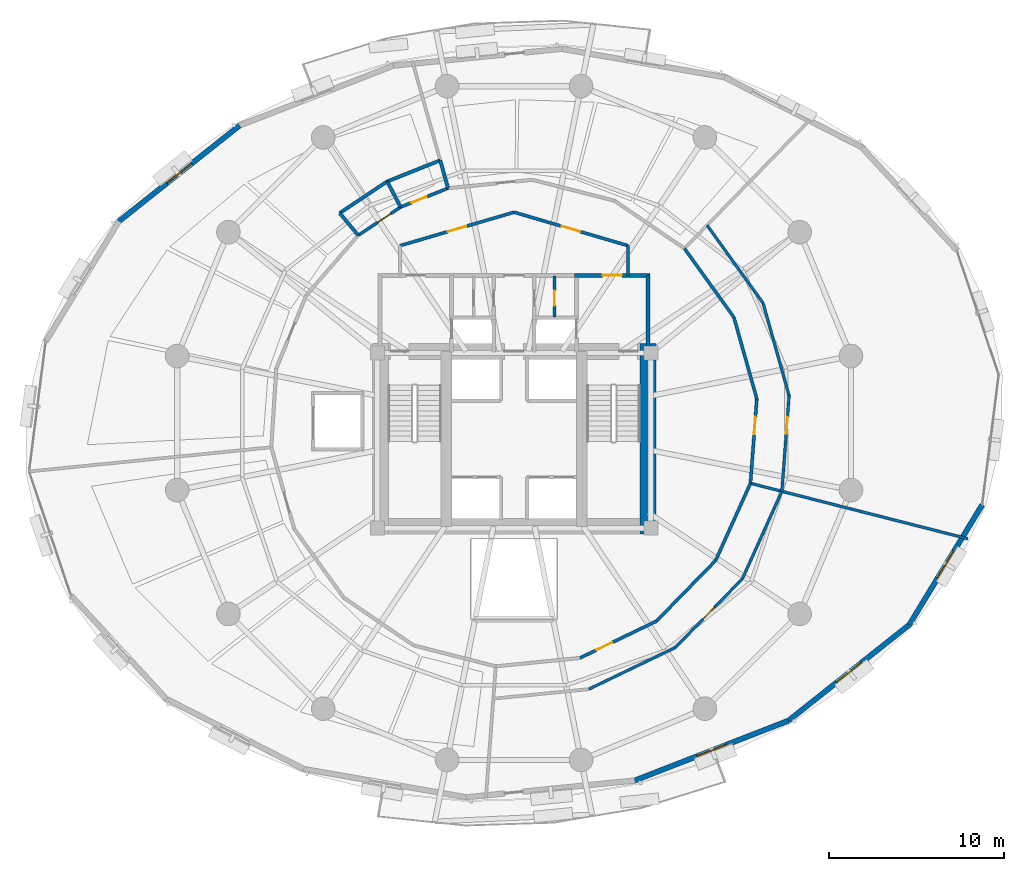
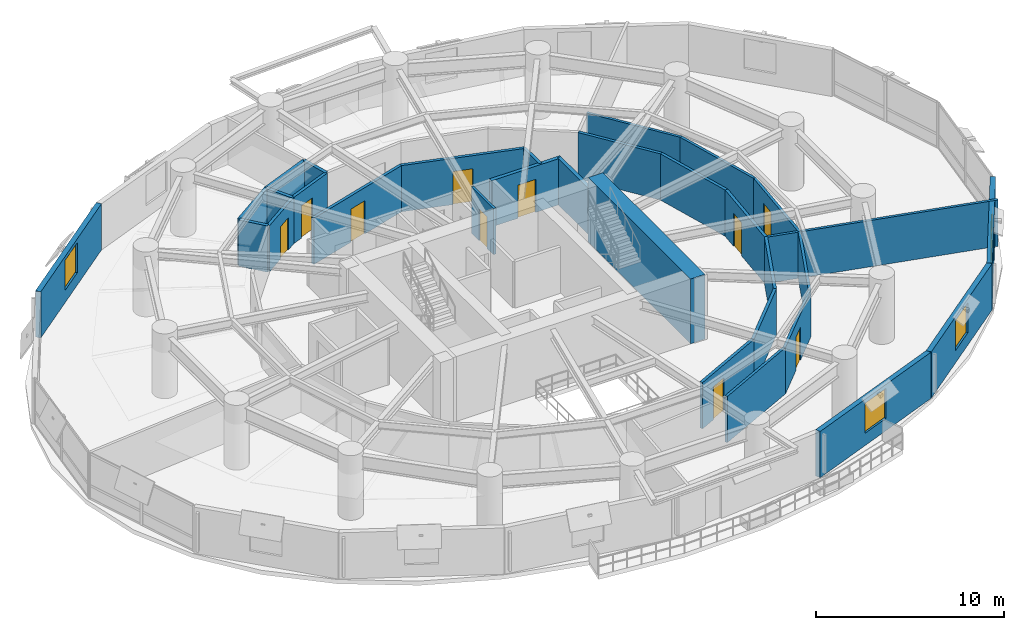
# One storey, part 13 of 17: 31 walls, 10 doors, 4 windows, 14 openings.
"""IFC4 building model written with IfcOpenShell, lengths in metres."""

from ifc_helpers import new_model, si_unit, direction, frame, frame_2d, origin, place, context, subcontext, project, spatial, rectangle, extrude, material, layer, layer_set, type_object, element, fill, save


model = new_model("IFC4")

# Units and contexts
model_context = context("Model", 3, precision=1e-05, world=origin(), true_north=direction((0.0, 1.0)))
body_context = subcontext(model_context, "Body", "Model", "MODEL_VIEW")
ifc_project = project(units=[si_unit("LENGTHUNIT", "METRE"), si_unit("AREAUNIT", "SQUARE_METRE"), si_unit("VOLUMEUNIT", "CUBIC_METRE"), si_unit("PLANEANGLEUNIT", "RADIAN"), si_unit("MASSUNIT", "GRAM", prefix="KILO"), si_unit("THERMODYNAMICTEMPERATUREUNIT", "KELVIN"), si_unit("POWERUNIT", "WATT")], contexts=[model_context])

# Site, building, storey
site_placement = place(None, origin())
site = spatial("IfcSite", under=ifc_project, at=site_placement, CompositionType="ELEMENT")
building_placement = place(site_placement, origin())
building = spatial("IfcBuilding", under=site, at=building_placement, Name="Ocrelia Relay Tower", CompositionType="ELEMENT")
storey_placement = place(building_placement, frame((0.0, 0.0, 55.199951171875)))
storey = spatial("IfcBuildingStorey", under=building, at=storey_placement, Name="L12", CompositionType="ELEMENT", Elevation=55.199951171875)

# Walls
ifc_material_1 = material(Name="Concrete C70/85", Category="concrete")
ifc_layer_1 = layer(ifc_material_1, 0.89990234375, Name="Concrete C70/85")
ifc_layer_set_1 = layer_set([ifc_layer_1], Name="Concrete C70/85")
wall_type_1 = type_object("IfcWallType", Name="CW-CORE-900", PredefinedType="SHEAR", material=ifc_layer_set_1)
wall_1_placement = place(storey_placement, frame((41.637939453125, 19.662109375, 0.0), z_axis=(0.0, 0.0, 1.0), x_axis=(0.0, 1.0, 0.0)))
element("IfcWall", 1, at=wall_1_placement, inside=storey, type_object=wall_type_1, Name="L12 Core Shear Wall E", PredefinedType="SHEAR", context=body_context, shape_type="SweptSolid", body=[
    extrude(rectangle(XDim=10.8759765625, YDim=0.89990234375, at=frame_2d((5.43798828125, 0.0))), origin(), (0.0, 0.0, 1.0), 4.199951171875),
])
ifc_material_2 = material(Name="Gypsum Fireboard Partition EI60", Category="gypsum")
ifc_layer_2 = layer(ifc_material_2, 0.179931640625, Name="Gypsum Fireboard Partition EI60")
ifc_layer_set_2 = layer_set([ifc_layer_2], Name="Gypsum Fireboard Partition EI60")
wall_type_2 = type_object("IfcWallType", Name="W-CORR-EI60-180", PredefinedType="PARTITIONING", material=ifc_layer_set_2)
wall_2_placement = place(storey_placement, frame((40.5, 36.122802734375, 0.0), z_axis=(0.0, 0.0, 1.0), x_axis=(0.0, -1.0, 0.0)))
element("IfcWall", 2, at=wall_2_placement, inside=storey, type_object=wall_type_2, Name="L12 Smoke Lobby East Return", PredefinedType="PARTITIONING", context=body_context, shape_type="SweptSolid", body=[
    extrude(rectangle(XDim=1.69287109375, YDim=0.179931640625, at=frame_2d((0.846435546875, 0.0))), origin(), (0.0, 0.0, 1.0), 3.0),
])

# Wall, opening, door
wall_3_placement = place(storey_placement, frame((27.5, 36.122802734375, 0.0), z_axis=(0.0, 0.0, 1.0), x_axis=(0.959546654541, 0.281549671923, 0.0)))
wall_3 = element("IfcWall", 3, at=wall_3_placement, inside=storey, type_object=wall_type_2, Name="L12 North Smoke Lobby W Screen Wall", PredefinedType="PARTITIONING", context=body_context, shape_type="SweptSolid", body=[
    extrude(rectangle(XDim=6.77392578125, YDim=0.179931640625, at=frame_2d((3.386962890625, 0.0))), origin(), (0.0, 0.0, 1.0), 3.0),
])
opening_1_placement = place(wall_3_placement, frame((2.8369140625, 0.0, 0.0)))
opening_1 = element("IfcOpeningElement", 4, at=opening_1_placement, cuts=wall_3, Name="Opening D-FD60", PredefinedType="OPENING", context=body_context, shape_type="SweptSolid", body=[
    extrude(rectangle(XDim=1.10009765625, YDim=2.14990234375, at=frame_2d((0.550048828125, 1.074951171875))), frame((0.0, 0.10009765625, 0.0), z_axis=(0.0, -1.0, 0.0), x_axis=(1.0, 0.0, 0.0)), (0.0, 0.0, 1.0), 0.199951171875),
])
ifc_material_3 = material(Name="Timber-core 60-min acoustic fire door", Category="wood")
door_type_1 = type_object("IfcDoorType", Name="DR-LOBBY-FD60-1100", OperationType="NOTDEFINED", PredefinedType="DOOR", material=ifc_material_3)
door_1_placement = place(opening_1_placement, origin())
door_1 = element("IfcDoor", 5, at=door_1_placement, inside=storey, type_object=door_type_1, Name="L12 North Smoke Lobby W Fire Door", OperationType="SINGLE_SWING_LEFT", OverallHeight=2.14990234375, OverallWidth=1.10009765625, PredefinedType="DOOR", context=body_context, shape_type="SweptSolid", body=[
    extrude(rectangle(XDim=1.10009765625, YDim=2.14990234375, at=frame_2d((0.550048828125, 1.074951171875))), frame((0.0, 0.02490234375, 0.0), z_axis=(0.0, -1.0, 0.0), x_axis=(1.0, 0.0, 0.0)), (0.0, 0.0, 1.0), 0.050048828125),
])
fill(opening_1, door_1)

wall_4_placement = place(storey_placement, frame((34.0, 38.030029296875, 0.0), z_axis=(0.0, 0.0, 1.0), x_axis=(0.959546654541, -0.281549671923, 0.0)))
wall_4 = element("IfcWall", 6, at=wall_4_placement, inside=storey, type_object=wall_type_2, Name="L12 North Smoke Lobby E Screen Wall", PredefinedType="PARTITIONING", context=body_context, shape_type="SweptSolid", body=[
    extrude(rectangle(XDim=6.77392578125, YDim=0.179931640625, at=frame_2d((3.386962890625, 0.0))), origin(), (0.0, 0.0, 1.0), 3.0),
])
opening_2_placement = place(wall_4_placement, frame((2.8369140625, 0.0, 0.0)))
opening_2 = element("IfcOpeningElement", 7, at=opening_2_placement, cuts=wall_4, Name="Opening D-FD60", PredefinedType="OPENING", context=body_context, shape_type="SweptSolid", body=[
    extrude(rectangle(XDim=1.10009765625, YDim=2.14990234375, at=frame_2d((0.550048828125, 1.074951171875))), frame((0.0, 0.10009765625, 0.0), z_axis=(0.0, -1.0, 0.0), x_axis=(1.0, 0.0, 0.0)), (0.0, 0.0, 1.0), 0.199951171875),
])
door_2_placement = place(opening_2_placement, origin())
door_2 = element("IfcDoor", 8, at=door_2_placement, inside=storey, type_object=door_type_1, Name="L12 North Smoke Lobby E Fire Door", OperationType="SINGLE_SWING_RIGHT", OverallHeight=2.14990234375, OverallWidth=1.10009765625, PredefinedType="DOOR", context=body_context, shape_type="SweptSolid", body=[
    extrude(rectangle(XDim=1.10009765625, YDim=2.14990234375, at=frame_2d((0.550048828125, 1.074951171875))), frame((0.0, 0.02490234375, 0.0), z_axis=(0.0, -1.0, 0.0), x_axis=(1.0, 0.0, 0.0)), (0.0, 0.0, 1.0), 0.050048828125),
])
fill(opening_2, door_2)

wall_5_placement = place(storey_placement, frame((30.233154296875, 39.400634765625, 0.0), z_axis=(0.0, 0.0, 1.0), x_axis=(-0.929140577399, -0.36972663879, 0.0)))
wall_5 = element("IfcWall", 9, at=wall_5_placement, inside=storey, type_object=wall_type_2, Name="L12 Staff Toilet Corridor Wall", PredefinedType="PARTITIONING", context=body_context, shape_type="SweptSolid", body=[
    extrude(rectangle(XDim=2.91015625, YDim=0.179931640625, at=frame_2d((1.455078125, 0.0))), origin(), (0.0, 0.0, 1.0), 3.0),
])
opening_3_placement = place(wall_5_placement, frame((1.321044921875, 0.0, 0.0)))
opening_3 = element("IfcOpeningElement", 10, at=opening_3_placement, cuts=wall_5, Name="Opening D-WC92", PredefinedType="OPENING", context=body_context, shape_type="SweptSolid", body=[
    extrude(rectangle(XDim=0.919921875, YDim=2.10009765625, at=frame_2d((0.4599609375, 1.050048828125))), frame((0.0, 0.10009765625, 0.0), z_axis=(0.0, -1.0, 0.0), x_axis=(1.0, 0.0, 0.0)), (0.0, 0.0, 1.0), 0.199951171875),
])
ifc_material_4 = material(Name="Laminate washroom door", Category="wood")
door_type_2 = type_object("IfcDoorType", Name="DR-WC-920", OperationType="NOTDEFINED", PredefinedType="DOOR", material=ifc_material_4)
door_3_placement = place(opening_3_placement, origin())
door_3 = element("IfcDoor", 11, at=door_3_placement, inside=storey, type_object=door_type_2, Name="L12 Staff Toilet Door", OperationType="SINGLE_SWING_LEFT", OverallHeight=2.10009765625, OverallWidth=0.919921875, PredefinedType="DOOR", context=body_context, shape_type="SweptSolid", body=[
    extrude(rectangle(XDim=0.919921875, YDim=2.10009765625, at=frame_2d((0.4599609375, 1.050048828125))), frame((0.0, 0.02490234375, 0.0), z_axis=(0.0, -1.0, 0.0), x_axis=(1.0, 0.0, 0.0)), (0.0, 0.0, 1.0), 0.050048828125),
])
fill(opening_3, door_3)

wall_6_placement = place(storey_placement, frame((27.529296875, 38.32470703125, 0.0), z_axis=(0.0, 0.0, 1.0), x_axis=(-0.83192119973, -0.554893789332, 0.0)))
wall_6 = element("IfcWall", 12, at=wall_6_placement, inside=storey, type_object=wall_type_2, Name="L12 Accessible Toilet Corridor Wall", PredefinedType="PARTITIONING", context=body_context, shape_type="SweptSolid", body=[
    extrude(rectangle(XDim=2.909912109375, YDim=0.179931640625, at=frame_2d((1.455078125, 0.0))), origin(), (0.0, 0.0, 1.0), 3.0),
])
opening_4_placement = place(wall_6_placement, frame((0.6689453125, 0.0, 0.0)))
opening_4 = element("IfcOpeningElement", 13, at=opening_4_placement, cuts=wall_6, Name="Opening D-WC92", PredefinedType="OPENING", context=body_context, shape_type="SweptSolid", body=[
    extrude(rectangle(XDim=0.919921875, YDim=2.10009765625, at=frame_2d((0.4599609375, 1.050048828125))), frame((0.0, 0.10009765625, 0.0), z_axis=(0.0, -1.0, 0.0), x_axis=(1.0, 0.0, 0.0)), (0.0, 0.0, 1.0), 0.199951171875),
])
door_4_placement = place(opening_4_placement, origin())
door_4 = element("IfcDoor", 14, at=door_4_placement, inside=storey, type_object=door_type_2, Name="L12 Accessible Toilet Door", OperationType="SINGLE_SWING_RIGHT", OverallHeight=2.10009765625, OverallWidth=0.919921875, PredefinedType="DOOR", context=body_context, shape_type="SweptSolid", body=[
    extrude(rectangle(XDim=0.919921875, YDim=2.10009765625, at=frame_2d((0.4599609375, 1.050048828125))), frame((0.0, 0.02490234375, 0.0), z_axis=(0.0, -1.0, 0.0), x_axis=(1.0, 0.0, 0.0)), (0.0, 0.0, 1.0), 0.050048828125),
])
fill(opening_4, door_4)

wall_7_placement = place(storey_placement, frame((37.766845703125, 12.599365234375, 0.0), z_axis=(0.0, 0.0, 1.0), x_axis=(0.901072575476, 0.433668322252, 0.0)))
wall_7 = element("IfcWall", 15, at=wall_7_placement, inside=storey, type_object=wall_type_2, Name="L12 Technical Conference Room Corridor Partition 2", PredefinedType="PARTITIONING", context=body_context, shape_type="SweptSolid", body=[
    extrude(rectangle(XDim=4.834228515625, YDim=0.179931640625, at=frame_2d((2.4169921875, 0.0))), origin(), (0.0, 0.0, 1.0), 3.0),
])
opening_5_placement = place(wall_7_placement, frame((1.03369140625, 0.0, 0.0)))
opening_5 = element("IfcOpeningElement", 16, at=opening_5_placement, cuts=wall_7, Name="Opening D-RM100", PredefinedType="OPENING", context=body_context, shape_type="SweptSolid", body=[
    extrude(rectangle(XDim=1.0, YDim=2.14990234375, at=frame_2d((0.5, 1.074951171875))), frame((0.0, 0.10009765625, 0.0), z_axis=(0.0, -1.0, 0.0), x_axis=(1.0, 0.0, 0.0)), (0.0, 0.0, 1.0), 0.199951171875),
])
ifc_material_5 = material(Name="Acoustic oak veneer fire door", Category="wood")
door_type_3 = type_object("IfcDoorType", Name="DR-ROOM-FD60-1000", OperationType="NOTDEFINED", PredefinedType="DOOR", material=ifc_material_5)
door_5_placement = place(opening_5_placement, origin())
door_5 = element("IfcDoor", 17, at=door_5_placement, inside=storey, type_object=door_type_3, Name="L12 Technical Conference Room Entrance Door", OperationType="SINGLE_SWING_LEFT", OverallHeight=2.14990234375, OverallWidth=1.0, PredefinedType="DOOR", context=body_context, shape_type="SweptSolid", body=[
    extrude(rectangle(XDim=1.0, YDim=2.14990234375, at=frame_2d((0.5, 1.074951171875))), frame((0.0, 0.02490234375, 0.0), z_axis=(0.0, -1.0, 0.0), x_axis=(1.0, 0.0, 0.0)), (0.0, 0.0, 1.0), 0.050048828125),
])
fill(opening_5, door_5)

# Walls
for number, where, z_axis, x_axis, name in (
    (18, (42.122802734375, 14.69580078125, 0.0), (0.0, 0.0, 1.0), (0.698418505085, 0.715689591761, 0.0), "L12 Technical Conference Room Corridor Partition 3"),
    (19, (45.499267578125, 18.15576171875, 0.0), (0.0, 0.0, 1.0), (0.411533950862, 0.911394430139, 0.0), "L12 Technical Conference Room Corridor Partition 4"),
):
    element("IfcWall", number, at=place(storey_placement, frame(where, z_axis=z_axis, x_axis=x_axis)), inside=storey, type_object=wall_type_2, Name=name, PredefinedType="PARTITIONING", context=body_context, shape_type="SweptSolid", body=[
        extrude(rectangle(XDim=4.83447265625, YDim=0.179931640625, at=frame_2d((2.417236328125, 0.0))), origin(), (0.0, 0.0, 1.0), 3.0),
    ])

# Wall, opening, door
wall_8_placement = place(storey_placement, frame((47.48876953125, 22.561767578125, 0.0), z_axis=(0.0, 0.0, 1.0), x_axis=(0.074993329919, 0.997184035406, 0.0)))
wall_8 = element("IfcWall", 20, at=wall_8_placement, inside=storey, type_object=wall_type_2, Name="L12 Training Seminar Room Corridor Partition 1", PredefinedType="PARTITIONING", context=body_context, shape_type="SweptSolid", body=[
    extrude(rectangle(XDim=4.83447265625, YDim=0.179931640625, at=frame_2d((2.417236328125, 0.0))), origin(), (0.0, 0.0, 1.0), 3.0),
])
opening_6_placement = place(wall_8_placement, frame((2.80078125, 0.0, 0.0)))
opening_6 = element("IfcOpeningElement", 21, at=opening_6_placement, cuts=wall_8, Name="Opening D-RM100", PredefinedType="OPENING", context=body_context, shape_type="SweptSolid", body=[
    extrude(rectangle(XDim=1.0, YDim=2.14990234375, at=frame_2d((0.5, 1.074951171875))), frame((0.0, 0.10009765625, 0.0), z_axis=(0.0, -1.0, 0.0), x_axis=(1.0, 0.0, 0.0)), (0.0, 0.0, 1.0), 0.199951171875),
])
door_6_placement = place(opening_6_placement, origin())
door_6 = element("IfcDoor", 22, at=door_6_placement, inside=storey, type_object=door_type_3, Name="L12 Training Seminar Room Entrance Door", OperationType="SINGLE_SWING_LEFT", OverallHeight=2.14990234375, OverallWidth=1.0, PredefinedType="DOOR", context=body_context, shape_type="SweptSolid", body=[
    extrude(rectangle(XDim=1.0, YDim=2.14990234375, at=frame_2d((0.5, 1.074951171875))), frame((0.0, 0.02490234375, 0.0), z_axis=(0.0, -1.0, 0.0), x_axis=(1.0, 0.0, 0.0)), (0.0, 0.0, 1.0), 0.050048828125),
])
fill(opening_6, door_6)

# Walls
wall_9_placement = place(storey_placement, frame((47.851318359375, 27.382568359375, 0.0), z_axis=(0.0, 0.0, 1.0), x_axis=(-0.270630041705, 0.962683426951, 0.0)))
element("IfcWall", 23, at=wall_9_placement, inside=storey, type_object=wall_type_2, Name="L12 Training Seminar Room Corridor Partition 2", PredefinedType="PARTITIONING", context=body_context, shape_type="SweptSolid", body=[
    extrude(rectangle(XDim=4.83447265625, YDim=0.179931640625, at=frame_2d((2.417236328125, 0.0))), origin(), (0.0, 0.0, 1.0), 3.0),
])
wall_10_placement = place(storey_placement, frame((46.54296875, 32.03662109375, 0.0), z_axis=(0.0, 0.0, 1.0), x_axis=(-0.583552796145, 0.812075202251, 0.0)))
element("IfcWall", 24, at=wall_10_placement, inside=storey, type_object=wall_type_2, Name="L12 Training Seminar Room Corridor Partition 3", PredefinedType="PARTITIONING", context=body_context, shape_type="SweptSolid", body=[
    extrude(rectangle(XDim=4.834228515625, YDim=0.179931640625, at=frame_2d((2.4169921875, 0.0))), origin(), (0.0, 0.0, 1.0), 3.0),
])

# Wall, opening, window
ifc_material_6 = material(Name="Precast concrete C40/50 with oxide terracotta", Category="masonry")
ifc_layer_3 = layer(ifc_material_6, 0.300048828125, Name="Precast concrete C40/50 with oxide terracotta")
ifc_layer_set_3 = layer_set([ifc_layer_3], Name="Precast concrete C40/50 with oxide terracotta")
wall_type_3 = type_object("IfcWallType", Name="W-EXT-TERR-300", PredefinedType="SOLIDWALL", material=ifc_layer_set_3)
wall_11_placement = place(storey_placement, frame((18.336669921875, 42.974609375, 0.0), z_axis=(0.0, 0.0, 1.0), x_axis=(-0.783287400775, -0.621659752427, 0.0)))
wall_11 = element("IfcWall", 25, at=wall_11_placement, inside=storey, type_object=wall_type_3, Name="L12 Oxide Terracotta Facade Wall 07", PredefinedType="SOLIDWALL", context=body_context, shape_type="SweptSolid", body=[
    extrude(rectangle(XDim=8.792724609375, YDim=0.300048828125, at=frame_2d((4.396484375, 0.0))), origin(), (0.0, 0.0, 1.0), 3.0),
])
opening_7_placement = place(wall_11_placement, frame((3.49609375, 0.0, 0.800048828125)))
opening_7 = element("IfcOpeningElement", 26, at=opening_7_placement, cuts=wall_11, Name="Opening W-02", PredefinedType="OPENING", context=body_context, shape_type="SweptSolid", body=[
    extrude(rectangle(XDim=1.800048828125, YDim=1.949951171875, at=frame_2d((0.89990234375, 0.97509765625))), frame((0.0, 0.16015625, 0.0), z_axis=(0.0, -1.0, 0.0), x_axis=(1.0, 0.0, 0.0)), (0.0, 0.0, 1.0), 0.320068359375),
])
ifc_material_7 = material(Name="Clear double-glazed low-E glass", Category="glass")
window_type = type_object("IfcWindowType", Name="WIN-Z1-1800x2100", PartitioningType="DOUBLE_PANEL_VERTICAL", PredefinedType="WINDOW", material=ifc_material_7)
window_1_placement = place(opening_7_placement, origin())
window_1 = element("IfcWindow", 27, at=window_1_placement, inside=storey, type_object=window_type, Name="L12 Facade Module Window 07", OverallHeight=1.949951171875, OverallWidth=1.800048828125, PartitioningType="SINGLE_PANEL", PredefinedType="WINDOW", context=body_context, shape_type="SweptSolid", body=[
    extrude(rectangle(XDim=1.800048828125, YDim=1.949951171875, at=frame_2d((0.89990234375, 0.97509765625))), frame((0.0, 0.030029296875, 0.0), z_axis=(0.0, -1.0, 0.0), x_axis=(1.0, 0.0, 0.0)), (0.0, 0.0, 1.0), 0.06005859375),
])
fill(opening_7, window_1)

wall_12_placement = place(storey_placement, frame((40.886962890625, 5.606689453125, 0.0), z_axis=(0.0, 0.0, 1.0), x_axis=(0.931801188997, 0.362969067807, 0.0)))
wall_12 = element("IfcWall", 28, at=wall_12_placement, inside=storey, type_object=wall_type_3, Name="L12 Oxide Terracotta Facade Wall 15", PredefinedType="SOLIDWALL", context=body_context, shape_type="SweptSolid", body=[
    extrude(rectangle(XDim=9.418701171875, YDim=0.300048828125, at=frame_2d((4.70947265625, 0.0))), origin(), (0.0, 0.0, 1.0), 3.0),
])
opening_8_placement = place(wall_12_placement, frame((3.80908203125, 0.0, 0.800048828125)))
opening_8 = element("IfcOpeningElement", 29, at=opening_8_placement, cuts=wall_12, Name="Opening W-02", PredefinedType="OPENING", context=body_context, shape_type="SweptSolid", body=[
    extrude(rectangle(XDim=1.800048828125, YDim=1.949951171875, at=frame_2d((0.89990234375, 0.97509765625))), frame((0.0, 0.16015625, 0.0), z_axis=(0.0, -1.0, 0.0), x_axis=(1.0, 0.0, 0.0)), (0.0, 0.0, 1.0), 0.320068359375),
])
window_2_placement = place(opening_8_placement, origin())
window_2 = element("IfcWindow", 30, at=window_2_placement, inside=storey, type_object=window_type, Name="L12 Facade Module Window 15", OverallHeight=1.949951171875, OverallWidth=1.800048828125, PartitioningType="SINGLE_PANEL", PredefinedType="WINDOW", context=body_context, shape_type="SweptSolid", body=[
    extrude(rectangle(XDim=1.800048828125, YDim=1.949951171875, at=frame_2d((0.89990234375, 0.97509765625))), frame((0.0, 0.030029296875, 0.0), z_axis=(0.0, -1.0, 0.0), x_axis=(1.0, 0.0, 0.0)), (0.0, 0.0, 1.0), 0.06005859375),
])
fill(opening_8, window_2)

wall_13_placement = place(storey_placement, frame((49.663330078125, 9.025390625, 0.0), z_axis=(0.0, 0.0, 1.0), x_axis=(0.783287400775, 0.621659752427, 0.0)))
wall_13 = element("IfcWall", 31, at=wall_13_placement, inside=storey, type_object=wall_type_3, Name="L12 Oxide Terracotta Facade Wall 16", PredefinedType="SOLIDWALL", context=body_context, shape_type="SweptSolid", body=[
    extrude(rectangle(XDim=8.792724609375, YDim=0.300048828125, at=frame_2d((4.396484375, 0.0))), origin(), (0.0, 0.0, 1.0), 3.0),
])
opening_9_placement = place(wall_13_placement, frame((3.49609375, 0.0, 0.800048828125)))
opening_9 = element("IfcOpeningElement", 32, at=opening_9_placement, cuts=wall_13, Name="Opening W-02", PredefinedType="OPENING", context=body_context, shape_type="SweptSolid", body=[
    extrude(rectangle(XDim=1.800048828125, YDim=1.949951171875, at=frame_2d((0.89990234375, 0.97509765625))), frame((0.0, 0.16015625, 0.0), z_axis=(0.0, -1.0, 0.0), x_axis=(1.0, 0.0, 0.0)), (0.0, 0.0, 1.0), 0.320068359375),
])
window_3_placement = place(opening_9_placement, origin())
window_3 = element("IfcWindow", 33, at=window_3_placement, inside=storey, type_object=window_type, Name="L12 Facade Module Window 16", OverallHeight=1.949951171875, OverallWidth=1.800048828125, PartitioningType="SINGLE_PANEL", PredefinedType="WINDOW", context=body_context, shape_type="SweptSolid", body=[
    extrude(rectangle(XDim=1.800048828125, YDim=1.949951171875, at=frame_2d((0.89990234375, 0.97509765625))), frame((0.0, 0.030029296875, 0.0), z_axis=(0.0, -1.0, 0.0), x_axis=(1.0, 0.0, 0.0)), (0.0, 0.0, 1.0), 0.06005859375),
])
fill(opening_9, window_3)

wall_14_placement = place(storey_placement, frame((56.550537109375, 14.491455078125, 0.0), z_axis=(0.0, 0.0, 1.0), x_axis=(0.519499833869, 0.854470551049, 0.0)))
wall_14 = element("IfcWall", 34, at=wall_14_placement, inside=storey, type_object=wall_type_3, Name="L12 Oxide Terracotta Facade Wall 17", PredefinedType="SOLIDWALL", context=body_context, shape_type="SweptSolid", body=[
    extrude(rectangle(XDim=8.021728515625, YDim=0.300048828125, at=frame_2d((4.0107421875, 0.0))), origin(), (0.0, 0.0, 1.0), 3.0),
])
opening_10_placement = place(wall_14_placement, frame((3.111083984375, 0.0, 0.800048828125)))
opening_10 = element("IfcOpeningElement", 35, at=opening_10_placement, cuts=wall_14, Name="Opening W-02", PredefinedType="OPENING", context=body_context, shape_type="SweptSolid", body=[
    extrude(rectangle(XDim=1.800048828125, YDim=1.949951171875, at=frame_2d((0.89990234375, 0.97509765625))), frame((0.0, 0.16015625, 0.0), z_axis=(0.0, -1.0, 0.0), x_axis=(1.0, 0.0, 0.0)), (0.0, 0.0, 1.0), 0.320068359375),
])
window_4_placement = place(opening_10_placement, origin())
window_4 = element("IfcWindow", 36, at=window_4_placement, inside=storey, type_object=window_type, Name="L12 Facade Module Window 17", OverallHeight=1.949951171875, OverallWidth=1.800048828125, PartitioningType="SINGLE_PANEL", PredefinedType="WINDOW", context=body_context, shape_type="SweptSolid", body=[
    extrude(rectangle(XDim=1.800048828125, YDim=1.949951171875, at=frame_2d((0.89990234375, 0.97509765625))), frame((0.0, 0.030029296875, 0.0), z_axis=(0.0, -1.0, 0.0), x_axis=(1.0, 0.0, 0.0)), (0.0, 0.0, 1.0), 0.06005859375),
])
fill(opening_10, window_4)

# Wall
ifc_material_8 = material(Name="Concrete C50/60", Category="concrete")
ifc_layer_4 = layer(ifc_material_8, 0.219970703125, Name="Concrete C50/60")
ifc_layer_set_4 = layer_set([ifc_layer_4], Name="Concrete C50/60")
wall_type_4 = type_object("IfcWallType", Name="W-FFL-EI120-220", PredefinedType="SOLIDWALL", material=ifc_layer_set_4)
wall_15_placement = place(storey_placement, frame((41.64990234375, 30.050048828125, 0.0), z_axis=(0.0, 0.0, 1.0), x_axis=(0.0, 1.0, 0.0)))
element("IfcWall", 37, at=wall_15_placement, inside=storey, type_object=wall_type_4, Name="L12 E Fire Service Lift Lobby East Wall", PredefinedType="SOLIDWALL", context=body_context, shape_type="SweptSolid", body=[
    extrude(rectangle(XDim=4.3798828125, YDim=0.219970703125, at=frame_2d((2.18994140625, 0.0))), origin(), (0.0, 0.0, 1.0), 3.0),
])

# Wall, opening, door
wall_16_placement = place(storey_placement, frame((37.449951171875, 34.429931640625, 0.0), z_axis=(0.0, 0.0, 1.0), x_axis=(1.0, 0.0, 0.0)))
wall_16 = element("IfcWall", 38, at=wall_16_placement, inside=storey, type_object=wall_type_4, Name="L12 E Fire Service Lift Lobby North Wall", PredefinedType="SOLIDWALL", context=body_context, shape_type="SweptSolid", body=[
    extrude(rectangle(XDim=4.31005859375, YDim=0.219970703125, at=frame_2d((2.155029296875, 0.0))), origin(), (0.0, 0.0, 1.0), 3.0),
])
opening_11_placement = place(wall_16_placement, frame((1.60009765625, 0.0, 0.0)))
opening_11 = element("IfcOpeningElement", 39, at=opening_11_placement, cuts=wall_16, Name="Opening D-FD60", PredefinedType="OPENING", context=body_context, shape_type="SweptSolid", body=[
    extrude(rectangle(XDim=1.10009765625, YDim=2.14990234375, at=frame_2d((0.550048828125, 1.074951171875))), frame((0.0, 0.1201171875, 0.0), z_axis=(0.0, -1.0, 0.0), x_axis=(1.0, 0.0, 0.0)), (0.0, 0.0, 1.0), 0.239990234375),
])
door_7_placement = place(opening_11_placement, origin())
door_7 = element("IfcDoor", 40, at=door_7_placement, inside=storey, type_object=door_type_1, Name="L12 E Fire Service Lift Lobby Exit Door", OperationType="SINGLE_SWING_RIGHT", OverallHeight=2.14990234375, OverallWidth=1.10009765625, PredefinedType="DOOR", context=body_context, shape_type="SweptSolid", body=[
    extrude(rectangle(XDim=1.10009765625, YDim=2.14990234375, at=frame_2d((0.550048828125, 1.074951171875))), frame((0.0, 0.02490234375, 0.0), z_axis=(0.0, -1.0, 0.0), x_axis=(1.0, 0.0, 0.0)), (0.0, 0.0, 1.0), 0.050048828125),
])
fill(opening_11, door_7)

ifc_material_9 = material(Name="Acoustic Fireboard Partition EI60", Category="gypsum")
ifc_layer_5 = layer(ifc_material_9, 0.14990234375, Name="Acoustic Fireboard Partition EI60")
ifc_layer_set_5 = layer_set([ifc_layer_5], Name="Acoustic Fireboard Partition EI60")
wall_type_5 = type_object("IfcWallType", Name="W-PART-150", PredefinedType="PARTITIONING", material=ifc_layer_set_5)
wall_17_placement = place(storey_placement, frame((36.31005859375, 32.050048828125, 0.0), z_axis=(0.0, 0.0, 1.0), x_axis=(0.0, 1.0, 0.0)))
wall_17 = element("IfcWall", 41, at=wall_17_placement, inside=storey, type_object=wall_type_5, Name="L12 East Core Support Partition", PredefinedType="PARTITIONING", context=body_context, shape_type="SweptSolid", body=[
    extrude(rectangle(XDim=2.329833984375, YDim=0.14990234375, at=frame_2d((1.1650390625, 0.0))), origin(), (0.0, 0.0, 1.0), 3.0),
])
opening_12_placement = place(wall_17_placement, frame((0.64990234375, 0.0, 0.0)))
opening_12 = element("IfcOpeningElement", 42, at=opening_12_placement, cuts=wall_17, Name="Opening D-RS86", PredefinedType="OPENING", context=body_context, shape_type="SweptSolid", body=[
    extrude(rectangle(XDim=0.860107421875, YDim=2.050048828125, at=frame_2d((0.43017578125, 1.02490234375))), frame((0.0, 0.0849609375, 0.0), z_axis=(0.0, -1.0, 0.0), x_axis=(1.0, 0.0, 0.0)), (0.0, 0.0, 1.0), 0.169921875),
])
ifc_material_10 = material(Name="Steel S355 riser access fire door", Category="steel")
door_type_4 = type_object("IfcDoorType", Name="DR-RISER-TRAP-860", OperationType="NOTDEFINED", PredefinedType="TRAPDOOR", material=ifc_material_10)
door_8_placement = place(opening_12_placement, origin())
door_8 = element("IfcDoor", 43, at=door_8_placement, inside=storey, type_object=door_type_4, Name="L12 East Core Store Connecting Door", OperationType="SINGLE_SWING_RIGHT", OverallHeight=2.050048828125, OverallWidth=0.860107421875, PredefinedType="TRAPDOOR", context=body_context, shape_type="SweptSolid", body=[
    extrude(rectangle(XDim=0.860107421875, YDim=2.050048828125, at=frame_2d((0.43017578125, 1.02490234375))), frame((0.0, 0.02490234375, 0.0), z_axis=(0.0, -1.0, 0.0), x_axis=(1.0, 0.0, 0.0)), (0.0, 0.0, 1.0), 0.050048828125),
])
fill(opening_12, door_8)

# Walls
ifc_layer_6 = layer(ifc_material_9, 0.159912109375, Name="Acoustic Fireboard Partition EI60")
ifc_layer_set_6 = layer_set([ifc_layer_6], Name="Acoustic Fireboard Partition EI60")
wall_type_6 = type_object("IfcWallType", Name="W-PART-160", PredefinedType="PARTITIONING", material=ifc_layer_set_6)
wall_18_placement = place(storey_placement, frame((47.48876953125, 22.561767578125, 0.0), z_axis=(0.0, 0.0, 1.0), x_axis=(0.969016056797, -0.246997736163, 0.0)))
element("IfcWall", 44, at=wall_18_placement, inside=storey, type_object=wall_type_6, Name="L12 Technical Conference Room Radial Partition", PredefinedType="PARTITIONING", context=body_context, shape_type="SweptSolid", body=[
    extrude(rectangle(XDim=12.80224609375, YDim=0.159912109375, at=frame_2d((6.401123046875, 0.0))), origin(), (0.0, 0.0, 1.0), 3.0),
])
wall_19_placement = place(storey_placement, frame((38.267333984375, 10.818359375, 0.0), z_axis=(0.0, 0.0, 1.0), x_axis=(0.901082965078, 0.433646734158, 0.0)))
element("IfcWall", 45, at=wall_19_placement, inside=storey, type_object=wall_type_6, Name="L12 Perimeter Technical Conference Room Mid-Ring Partition 2", PredefinedType="PARTITIONING", context=body_context, shape_type="SweptSolid", body=[
    extrude(rectangle(XDim=5.476806640625, YDim=0.159912109375, at=frame_2d((2.73828125, 0.0))), origin(), (0.0, 0.0, 1.0), 3.0),
])

# Wall, opening, door
wall_20_placement = place(storey_placement, frame((43.202392578125, 13.193359375, 0.0), z_axis=(0.0, 0.0, 1.0), x_axis=(0.698406286672, 0.715701515114, 0.0)))
wall_20 = element("IfcWall", 46, at=wall_20_placement, inside=storey, type_object=wall_type_6, Name="L12 Perimeter Technical Conference Room Mid-Ring Partition 3", PredefinedType="PARTITIONING", context=body_context, shape_type="SweptSolid", body=[
    extrude(rectangle(XDim=5.47705078125, YDim=0.159912109375, at=frame_2d((2.738525390625, 0.0))), origin(), (0.0, 0.0, 1.0), 3.0),
])
opening_13_placement = place(wall_20_placement, frame((2.263427734375, 0.0, 0.0)))
opening_13 = element("IfcOpeningElement", 47, at=opening_13_placement, cuts=wall_20, Name="Opening D-RM95", PredefinedType="OPENING", context=body_context, shape_type="SweptSolid", body=[
    extrude(rectangle(XDim=0.949951171875, YDim=2.14990234375, at=frame_2d((0.47509765625, 1.074951171875))), frame((0.0, 0.08984375, 0.0), z_axis=(0.0, -1.0, 0.0), x_axis=(1.0, 0.0, 0.0)), (0.0, 0.0, 1.0), 0.179931640625),
])
door_type_5 = type_object("IfcDoorType", Name="DR-ROOM-950", OperationType="NOTDEFINED", PredefinedType="DOOR", material=ifc_material_5)
door_9_placement = place(opening_13_placement, origin())
door_9 = element("IfcDoor", 48, at=door_9_placement, inside=storey, type_object=door_type_5, Name="L12 Perimeter Technical Conference Room Connecting Door", OperationType="SINGLE_SWING_RIGHT", OverallHeight=2.14990234375, OverallWidth=0.949951171875, PredefinedType="DOOR", context=body_context, shape_type="SweptSolid", body=[
    extrude(rectangle(XDim=0.949951171875, YDim=2.14990234375, at=frame_2d((0.47509765625, 1.074951171875))), frame((0.0, 0.02490234375, 0.0), z_axis=(0.0, -1.0, 0.0), x_axis=(1.0, 0.0, 0.0)), (0.0, 0.0, 1.0), 0.050048828125),
])
fill(opening_13, door_9)

# Wall
wall_21_placement = place(storey_placement, frame((47.027587890625, 17.11328125, 0.0), z_axis=(0.0, 0.0, 1.0), x_axis=(0.411541335113, 0.911391095795, 0.0)))
element("IfcWall", 49, at=wall_21_placement, inside=storey, type_object=wall_type_6, Name="L12 Perimeter Technical Conference Room Mid-Ring Partition 4", PredefinedType="PARTITIONING", context=body_context, shape_type="SweptSolid", body=[
    extrude(rectangle(XDim=5.476806640625, YDim=0.159912109375, at=frame_2d((2.73828125, 0.0))), origin(), (0.0, 0.0, 1.0), 3.0),
])

# Wall, opening, door
wall_22_placement = place(storey_placement, frame((49.281494140625, 22.104736328125, 0.0), z_axis=(0.0, 0.0, 1.0), x_axis=(0.074930681693, 0.997188744893, 0.0)))
wall_22 = element("IfcWall", 50, at=wall_22_placement, inside=storey, type_object=wall_type_6, Name="L12 Perimeter Training Seminar Room Mid-Ring Partition 1", PredefinedType="PARTITIONING", context=body_context, shape_type="SweptSolid", body=[
    extrude(rectangle(XDim=5.47705078125, YDim=0.159912109375, at=frame_2d((2.738525390625, 0.0))), origin(), (0.0, 0.0, 1.0), 3.0),
])
opening_14_placement = place(wall_22_placement, frame((3.30517578125, 0.0, 0.0)))
opening_14 = element("IfcOpeningElement", 51, at=opening_14_placement, cuts=wall_22, Name="Opening D-RM95", PredefinedType="OPENING", context=body_context, shape_type="SweptSolid", body=[
    extrude(rectangle(XDim=0.949951171875, YDim=2.14990234375, at=frame_2d((0.47509765625, 1.074951171875))), frame((0.0, 0.08984375, 0.0), z_axis=(0.0, -1.0, 0.0), x_axis=(1.0, 0.0, 0.0)), (0.0, 0.0, 1.0), 0.179931640625),
])
door_10_placement = place(opening_14_placement, origin())
door_10 = element("IfcDoor", 52, at=door_10_placement, inside=storey, type_object=door_type_5, Name="L12 Perimeter Training Seminar Room Connecting Door", OperationType="SINGLE_SWING_RIGHT", OverallHeight=2.14990234375, OverallWidth=0.949951171875, PredefinedType="DOOR", context=body_context, shape_type="SweptSolid", body=[
    extrude(rectangle(XDim=0.949951171875, YDim=2.14990234375, at=frame_2d((0.47509765625, 1.074951171875))), frame((0.0, 0.02490234375, 0.0), z_axis=(0.0, -1.0, 0.0), x_axis=(1.0, 0.0, 0.0)), (0.0, 0.0, 1.0), 0.050048828125),
])
fill(opening_14, door_10)

# Walls
wall_23_placement = place(storey_placement, frame((49.69189453125, 27.56640625, 0.0), z_axis=(0.0, 0.0, 1.0), x_axis=(-0.270585497548, 0.962695948115, 0.0)))
element("IfcWall", 53, at=wall_23_placement, inside=storey, type_object=wall_type_6, Name="L12 Perimeter Training Seminar Room Mid-Ring Partition 2", PredefinedType="PARTITIONING", context=body_context, shape_type="SweptSolid", body=[
    extrude(rectangle(XDim=5.476806640625, YDim=0.159912109375, at=frame_2d((2.73828125, 0.0))), origin(), (0.0, 0.0, 1.0), 3.0),
])
wall_24_placement = place(storey_placement, frame((48.2099609375, 32.8388671875, 0.0), z_axis=(0.0, 0.0, 1.0), x_axis=(-0.5835423575, 0.812082703303, 0.0)))
element("IfcWall", 54, at=wall_24_placement, inside=storey, type_object=wall_type_6, Name="L12 Perimeter Training Seminar Room Mid-Ring Partition 3", PredefinedType="PARTITIONING", context=body_context, shape_type="SweptSolid", body=[
    extrude(rectangle(XDim=5.47705078125, YDim=0.159912109375, at=frame_2d((2.738525390625, 0.0))), origin(), (0.0, 0.0, 1.0), 3.0),
])
ifc_material_11 = material(Name="Moisture-Resistant Fireboard Chase Wall EI60", Category="gypsum")
ifc_layer_7 = layer(ifc_material_11, 0.199951171875, Name="Moisture-Resistant Fireboard Chase Wall EI60")
ifc_layer_set_7 = layer_set([ifc_layer_7], Name="Moisture-Resistant Fireboard Chase Wall EI60")
wall_type_7 = type_object("IfcWallType", Name="W-PLUMB-200", PredefinedType="PLUMBINGWALL", material=ifc_layer_set_7)
for number, where, z_axis, x_axis, name in (
    (55, (30.233154296875, 39.400634765625, 0.0), (0.0, 0.0, 1.0), (-0.270497024632, 0.962720810861, 0.0), "L12 Staff Toilet Plumbing Radial Wall"),
    (56, (27.529296875, 38.32470703125, 0.0), (0.0, 0.0, 1.0), (-0.464764300148, 0.885434438741, 0.0), "L12 Staff Toilet Plumbing Radial Wall"),
):
    element("IfcWall", number, at=place(storey_placement, frame(where, z_axis=z_axis, x_axis=x_axis)), inside=storey, type_object=wall_type_7, Name=name, PredefinedType="PLUMBINGWALL", context=body_context, shape_type="SweptSolid", body=[
        extrude(rectangle(XDim=1.64990234375, YDim=0.199951171875, at=frame_2d((0.824951171875, 0.0))), origin(), (0.0, 0.0, 1.0), 3.0),
    ])
wall_25_placement = place(storey_placement, frame((29.786865234375, 40.989013671875, 0.0), z_axis=(0.0, 0.0, 1.0), x_axis=(-0.929152770117, -0.369695996441, 0.0)))
element("IfcWall", 57, at=wall_25_placement, inside=storey, type_object=wall_type_7, Name="L12 Staff Toilet Back Plumbing Wall", PredefinedType="PLUMBINGWALL", context=body_context, shape_type="SweptSolid", body=[
    extrude(rectangle(XDim=3.255126953125, YDim=0.199951171875, at=frame_2d((1.62744140625, 0.0))), origin(), (0.0, 0.0, 1.0), 3.0),
])
wall_26_placement = place(storey_placement, frame((25.1083984375, 36.7099609375, 0.0), z_axis=(0.0, 0.0, 1.0), x_axis=(-0.638757028349, 0.769408512258, 0.0)))
element("IfcWall", 58, at=wall_26_placement, inside=storey, type_object=wall_type_7, Name="L12 Accessible Toilet Plumbing Radial Wall", PredefinedType="PLUMBINGWALL", context=body_context, shape_type="SweptSolid", body=[
    extrude(rectangle(XDim=1.64990234375, YDim=0.199951171875, at=frame_2d((0.824951171875, 0.0))), origin(), (0.0, 0.0, 1.0), 3.0),
])
wall_27_placement = place(storey_placement, frame((26.762451171875, 39.78564453125, 0.0), z_axis=(0.0, 0.0, 1.0), x_axis=(-0.831934886881, -0.554873268405, 0.0)))
element("IfcWall", 59, at=wall_27_placement, inside=storey, type_object=wall_type_7, Name="L12 Accessible Toilet Back Plumbing Wall", PredefinedType="PLUMBINGWALL", context=body_context, shape_type="SweptSolid", body=[
    extrude(rectangle(XDim=3.255126953125, YDim=0.199951171875, at=frame_2d((1.62744140625, 0.0))), origin(), (0.0, 0.0, 1.0), 3.0),
])

save(model, "model.ifc")
